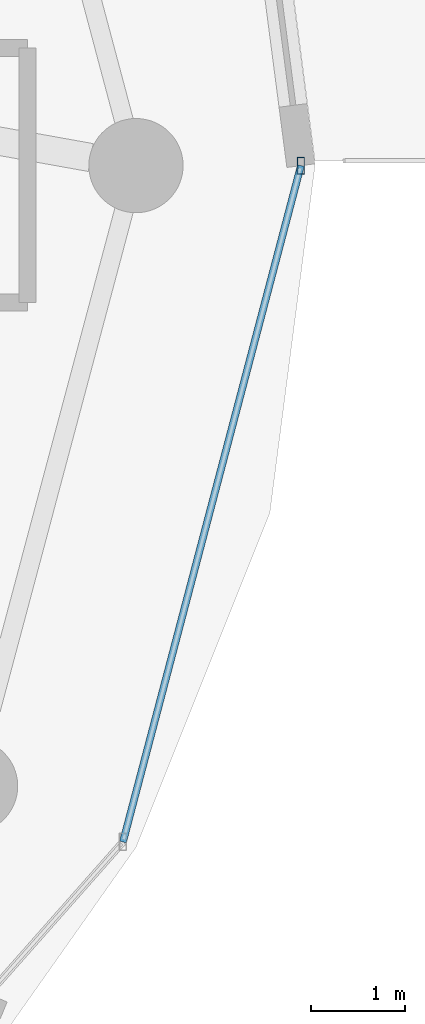
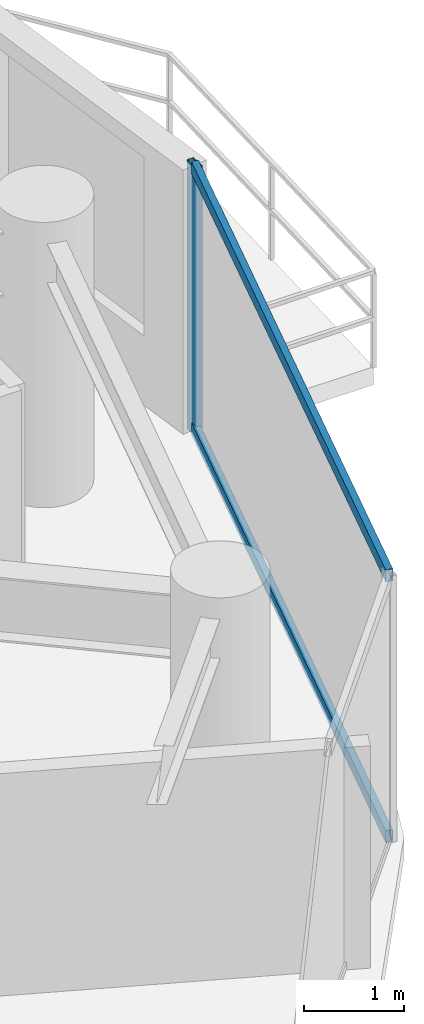
# One storey, part 14 of 28: 3 members, 1 element without a shape of its own.
"""IFC4 building model written with IfcOpenShell, lengths in metres."""

from ifc_helpers import new_model, si_unit, direction, frame, origin, origin_2d, place, context, subcontext, project, spatial, hollow_rectangle, extrude, material, material_profile, profile_set, type_object, element, aggregate, save


model = new_model("IFC4")

# Units and contexts
model_context = context("Model", 3, precision=1e-05, world=origin(), true_north=direction((0.0, 1.0)))
body_context = subcontext(model_context, "Body", "Model", "MODEL_VIEW")
ifc_project = project(units=[si_unit("LENGTHUNIT", "METRE"), si_unit("AREAUNIT", "SQUARE_METRE"), si_unit("VOLUMEUNIT", "CUBIC_METRE"), si_unit("PLANEANGLEUNIT", "RADIAN"), si_unit("MASSUNIT", "GRAM", prefix="KILO")], contexts=[model_context])

# Site, building, storey
site_placement = place(None, origin())
site = spatial("IfcSite", under=ifc_project, at=site_placement, CompositionType="ELEMENT")
building_placement = place(site_placement, origin())
building = spatial("IfcBuilding", under=site, at=building_placement, Name="Vorneva Point Tower", CompositionType="ELEMENT")
storey_placement = place(building_placement, frame((0.0, 0.0, 143.10009765625)))
storey = spatial("IfcBuildingStorey", under=building, at=storey_placement, Name="L38", CompositionType="ELEMENT", Elevation=143.10009765625)

# Curtain wall, members
ifc_material = material(Name="Pale anodised aluminium", Category="aluminium")
curtain_wall_type = type_object("IfcCurtainWallType", Name="CW-RES-SYS", PredefinedType="NOTDEFINED", material=ifc_material)
curtain_wall_placement = place(storey_placement, origin())
curtain_wall = element("IfcCurtainWall", 1, at=curtain_wall_placement, inside=storey, type_object=curtain_wall_type, Name="L38 Unitised Curtain Wall CW-L38-R04", PredefinedType="NOTDEFINED")
ifc_material_profile_1 = material_profile(ifc_material, hollow_rectangle(XDim=0.074951171875, YDim=0.179931640625, WallThickness=0.00390625, at=origin_2d()), Name="AL-MUL 180x75x4")
ifc_profile_set_1 = profile_set([ifc_material_profile_1], Name="Pale anodised aluminium")
member_type_1 = type_object("IfcMemberType", Name="CW-MUL-180", PredefinedType="MULLION", material=ifc_profile_set_1)
member_1_placement = place(storey_placement, frame((62.800048828125, 26.0, -0.0400390625), z_axis=(0.0, 0.0, 1.0), x_axis=(1.0, 0.0, 0.0)))
member_1 = element("IfcMember", 2, at=member_1_placement, type_object=member_type_1, Name="CW-L38-R04 Mullion 03", PredefinedType="MULLION", context=body_context, shape_type="SweptSolid", body=[
    extrude(hollow_rectangle(XDim=0.074951171875, YDim=0.179931640625, WallThickness=0.00390625, at=origin_2d()), origin(), (0.0, 0.0, 1.0), 3.31005859375),
])
ifc_material_profile_2 = material_profile(ifc_material, hollow_rectangle(XDim=0.074951171875, YDim=0.14990234375, WallThickness=0.00390625, at=origin_2d()), Name="AL-TRN 150x75x4")
ifc_profile_set_2 = profile_set([ifc_material_profile_2], Name="Pale anodised aluminium")
member_type_2 = type_object("IfcMemberType", Name="CW-TRN-150", PredefinedType="USERDEFINED", material=ifc_profile_set_2)
member_2_placement = place(storey_placement, frame((60.912109375, 18.82470703125, 0.02001953125), z_axis=(0.254456046293, 0.967084339913, 0.0), x_axis=(-0.967084339913, 0.254456046293, 0.0)))
member_2 = element("IfcMember", 3, at=member_2_placement, type_object=member_type_2, Name="CW-L38-R04 Transom 02.1", ObjectType="TRANSOM", PredefinedType="USERDEFINED", context=body_context, shape_type="SweptSolid", body=[
    extrude(hollow_rectangle(XDim=0.074951171875, YDim=0.14990234375, WallThickness=0.00390625, at=origin_2d()), origin(), (0.0, 0.0, 1.0), 7.41943359375),
])
member_3_placement = place(storey_placement, frame((60.912109375, 18.82470703125, 3.219970703125), z_axis=(0.254456046293, 0.967084339913, 0.0), x_axis=(-0.967084339913, 0.254456046293, 0.0)))
member_3 = element("IfcMember", 4, at=member_3_placement, type_object=member_type_2, Name="CW-L38-R04 Transom 02.2", ObjectType="TRANSOM", PredefinedType="USERDEFINED", context=body_context, shape_type="SweptSolid", body=[
    extrude(hollow_rectangle(XDim=0.074951171875, YDim=0.14990234375, WallThickness=0.00390625, at=origin_2d()), origin(), (0.0, 0.0, 1.0), 7.41943359375),
])
aggregate(curtain_wall, [member_1, member_2, member_3])

save(model, "model.ifc")
